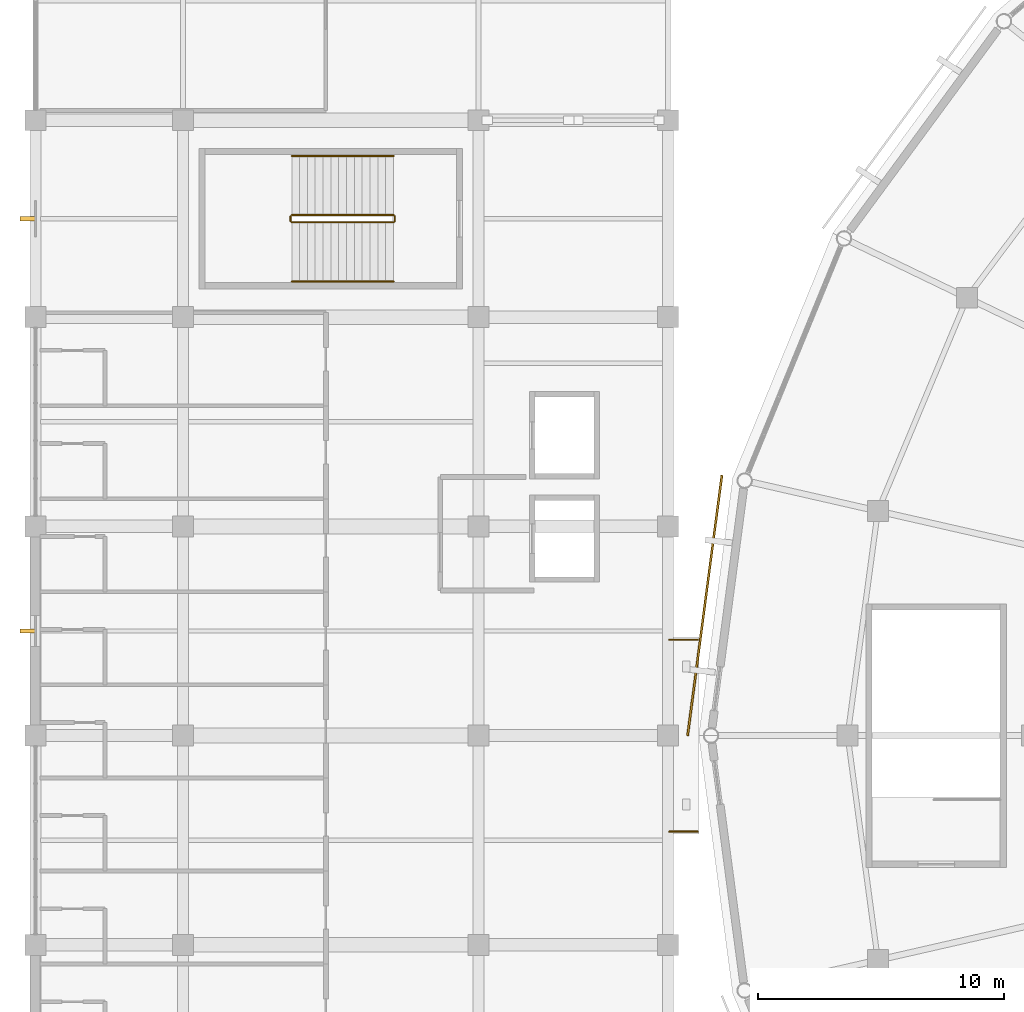
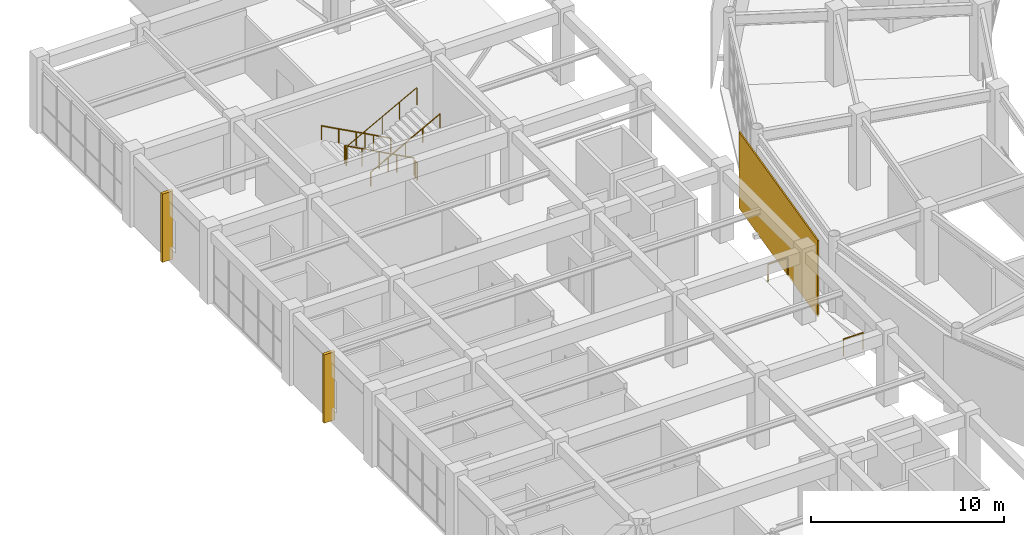
# One storey, part 102 of 112: 8 railings, 2 shading devices, 1 covering.
"""IFC4 building model written with IfcOpenShell, lengths in metres."""

import ifcopenshell
import ifcopenshell.guid

model = None  # the IFC model being written
_history = None  # IfcOwnerHistory: only IFC2X3 demands one
_inside = {}  # id of a spatial element -> (the spatial element, [elements in it])
_under = {}  # id of a project, library or spatial element -> (it, [spatial elements below it])
_declared = {}  # id of a project -> (the project, [libraries it declares])
_typed = {}  # id of a type object -> (the type object, [elements of that type])
_made_of = {}  # id of a material, layer set ... -> (it, [elements and type objects made of it])


def new_model(schema):
    """Start an empty IFC model of exactly this schema.

    Asked for "IFC4X3", IfcOpenShell would pick the latest addendum, in which some entities
    have other attributes; the version numbers below select the first issue.
    IFC2X3 requires an IfcOwnerHistory on every rooted entity: one is made here for all.
    """
    global model, _history
    if schema == "IFC4X3":
        model = ifcopenshell.file(schema_version=(4, 3, 0, 0))
    else:
        model = ifcopenshell.file(schema=schema)
    _inside.clear()
    _under.clear()
    _declared.clear()
    _typed.clear()
    _made_of.clear()
    _history = None
    if model.schema == "IFC2X3":
        org = make("IfcOrganization", Name="unknown")
        user = make(
            "IfcPersonAndOrganization",
            ThePerson=make("IfcPerson", FamilyName="unknown"),
            TheOrganization=org,
        )
        app = make(
            "IfcApplication",
            ApplicationDeveloper=org,
            Version="unknown",
            ApplicationFullName="unknown",
            ApplicationIdentifier="unknown",
        )
        _history = make(
            "IfcOwnerHistory",
            OwningUser=user,
            OwningApplication=app,
            ChangeAction="ADDED",
            CreationDate=0,
        )
    return model


def make(cls, **values):
    """One entity of the class cls with the attributes given. An attribute that is None is left unset."""
    return model.create_entity(
        cls, **{name: value for name, value in values.items() if value is not None}
    )


def rooted(cls, **values):
    """An entity with a GlobalId (a new one), such as an element, a storey or a relation."""
    return make(cls, GlobalId=ifcopenshell.guid.new(), OwnerHistory=_history, **values)


def si_unit(unit_type, name, prefix=None):
    """IfcSIUnit, for example si_unit("LENGTHUNIT", "METRE", prefix="MILLI")."""
    return make("IfcSIUnit", UnitType=unit_type, Prefix=prefix, Name=name)


def assignment(units):
    """IfcUnitAssignment: the units of a project."""
    return None if units is None else make("IfcUnitAssignment", Units=units)


def point(xyz):
    """IfcCartesianPoint."""
    return None if xyz is None else make("IfcCartesianPoint", Coordinates=xyz)


def direction(xyz):
    """IfcDirection."""
    return None if xyz is None else make("IfcDirection", DirectionRatios=xyz)


def frame(location, z_axis=None, x_axis=None):
    """IfcAxis2Placement3D, a coordinate frame: its origin and axes. An axis left out is left unset."""
    return make(
        "IfcAxis2Placement3D",
        Location=point(location),
        Axis=direction(z_axis),
        RefDirection=direction(x_axis),
    )


def frame_2d(location, x_axis=None):
    """IfcAxis2Placement2D, a coordinate frame in the plane: its origin and x axis."""
    return make(
        "IfcAxis2Placement2D", Location=point(location), RefDirection=direction(x_axis)
    )


def origin():
    """The frame at (0, 0, 0) with its axes left unset."""
    return frame((0.0, 0.0, 0.0))


def origin_2d():
    """The frame at (0, 0) in the plane with its x axis left unset."""
    return frame_2d((0.0, 0.0))


def place(relative_to, where):
    """IfcLocalPlacement: puts the frame where relative to a parent placement (None: the world)."""
    return make(
        "IfcLocalPlacement", PlacementRelTo=relative_to, RelativePlacement=where
    )


def context(
    kind, dimensions, precision=None, world=None, true_north=None, identifier=None
):
    """IfcGeometricRepresentationContext, for example the 3D "Model" context."""
    return make(
        "IfcGeometricRepresentationContext",
        ContextIdentifier=identifier,
        ContextType=kind,
        CoordinateSpaceDimension=dimensions,
        Precision=precision,
        WorldCoordinateSystem=world,
        TrueNorth=true_north,
    )


def subcontext(parent, identifier, kind, view, scale=None):
    """IfcGeometricRepresentationSubContext, for example "Body" below "Model"."""
    return make(
        "IfcGeometricRepresentationSubContext",
        ContextIdentifier=identifier,
        ContextType=kind,
        ParentContext=parent,
        TargetScale=scale,
        TargetView=view,
    )


def project(units=None, contexts=None):
    """IfcProject with its units and contexts."""
    return rooted(
        "IfcProject",
        Name="project",
        RepresentationContexts=contexts,
        UnitsInContext=assignment(units),
    )


def spatial(cls, under=None, at=None, **own):
    """A site, building, storey or space (cls), placed at a placement, below another one or the project."""
    s = rooted(cls, ObjectPlacement=at, **own)
    if under is not None:
        _under.setdefault(under.id(), (under, []))[1].append(s)
    return s


def profile(cls, at=None, kind="AREA", **sizes):
    """A parametric profile (cls). Its sizes go by their IFC names, for example OverallWidth=200.0."""
    return make(cls, ProfileType=kind, Position=at, **sizes)


def rectangle(**sizes):
    """IfcRectangleProfileDef."""
    return profile("IfcRectangleProfileDef", **sizes)


def circle(**sizes):
    """IfcCircleProfileDef."""
    return profile("IfcCircleProfileDef", **sizes)


def extrude(swept, where, along, depth):
    """IfcExtrudedAreaSolid: the profile swept, set in the frame where, extruded along a direction by depth."""
    return make(
        "IfcExtrudedAreaSolid",
        SweptArea=swept,
        Position=where,
        ExtrudedDirection=direction(along),
        Depth=depth,
    )


def shape(context_of_items, identifier, shape_type, items):
    """IfcShapeRepresentation: the items that make up one representation, for example the "Body"."""
    return make(
        "IfcShapeRepresentation",
        ContextOfItems=context_of_items,
        RepresentationIdentifier=identifier,
        RepresentationType=shape_type,
        Items=items,
    )


def material(Name=None, Category=None):
    """IfcMaterial."""
    return make("IfcMaterial", Name=Name, Category=Category)


def layer(
    of_material, thickness, ventilated=None, Name=None, Category=None, Priority=None
):
    """IfcMaterialLayer: one layer of a wall or slab, of a material (None: an air gap)."""
    return make(
        "IfcMaterialLayer",
        Material=of_material,
        LayerThickness=thickness,
        IsVentilated=ventilated,
        Name=Name,
        Category=Category,
        Priority=Priority,
    )


def layer_set(layers, Name=None):
    """IfcMaterialLayerSet."""
    return make("IfcMaterialLayerSet", MaterialLayers=layers, LayerSetName=Name)


def made_of(thing, what):
    """Note that an element or type object is made of a material, layer set ...; save() writes the relation."""
    if what is not None:
        _made_of.setdefault(what.id(), (what, []))[1].append(thing)
    return thing


def type_object(cls, material=None, **own):
    """A type object (cls), such as IfcWallType, which elements share."""
    return made_of(rooted(cls, **own), material)


def element(
    cls,
    number,
    at=None,
    inside=None,
    cuts=None,
    type_object=None,
    material=None,
    context=None,
    identifier="Body",
    shape_type=None,
    held_by="IfcProductDefinitionShape",
    body=None,
    shapes=None,
    **own,
):
    """One element of the class cls, such as IfcWall. Its Tag is "e" and its number.

    at: its placement. inside: the storey or other place that contains it. cuts: it is an
    opening in that element (IfcRelVoidsElement). A single representation is given by context,
    identifier, shape_type and body (its items); several are given by shapes. held_by: the class
    of the entity that holds the representations. save() writes the other relations.
    """
    e = rooted(cls, Tag="e%d" % number, ObjectPlacement=at, **own)
    if body is not None:
        shapes = [shape(context, identifier, shape_type, body)]
    if shapes is not None:
        e.Representation = make(held_by, Representations=shapes)
    if inside is not None:
        _inside.setdefault(inside.id(), (inside, []))[1].append(e)
    if cuts is not None:
        rooted(
            "IfcRelVoidsElement", RelatingBuildingElement=cuts, RelatedOpeningElement=e
        )
    if type_object is not None:
        _typed.setdefault(type_object.id(), (type_object, []))[1].append(e)
    return made_of(e, material)


def aggregate(whole, parts):
    """IfcRelAggregates: a whole, such as a stair, and the parts it consists of."""
    return rooted("IfcRelAggregates", RelatingObject=whole, RelatedObjects=parts)


def save(model, path):
    """Write the relations noted so far, then the file.

    IfcRelAggregates (storeys below a building ...), IfcRelContainedInSpatialStructure (elements
    in a storey), IfcRelDefinesByType, IfcRelAssociatesMaterial and IfcRelDeclares: one each for
    every whole, place, type object, material and project.
    """
    for whole, parts in _under.values():
        aggregate(whole, parts)
    for where, things in _inside.values():
        rooted(
            "IfcRelContainedInSpatialStructure",
            RelatedElements=things,
            RelatingStructure=where,
        )
    for kind, things in _typed.values():
        rooted("IfcRelDefinesByType", RelatedObjects=things, RelatingType=kind)
    for what, things in _made_of.values():
        rooted("IfcRelAssociatesMaterial", RelatedObjects=things, RelatingMaterial=what)
    for by, libraries in _declared.values():
        rooted("IfcRelDeclares", RelatingContext=by, RelatedDefinitions=libraries)
    model.write(path)


model = new_model("IFC4")

# Units and contexts
model_context = context("Model", 3, precision=1e-05, world=origin(), true_north=direction((0.0, 1.0)))
body_context = subcontext(model_context, "Body", "Model", "MODEL_VIEW")
ifc_project = project(units=[si_unit("LENGTHUNIT", "METRE"), si_unit("AREAUNIT", "SQUARE_METRE"), si_unit("VOLUMEUNIT", "CUBIC_METRE"), si_unit("PLANEANGLEUNIT", "RADIAN"), si_unit("MASSUNIT", "GRAM", prefix="KILO")], contexts=[model_context])

# Site, building, storey
site_placement = place(None, origin())
site = spatial("IfcSite", under=ifc_project, at=site_placement, CompositionType="ELEMENT")
building_placement = place(site_placement, origin())
building = spatial("IfcBuilding", under=site, at=building_placement, Name="Cuetzalor Civic Arena", CompositionType="ELEMENT")
storey_placement = place(building_placement, frame((0.0, 0.0, 11.39990234375)))
storey = spatial("IfcBuildingStorey", under=building, at=storey_placement, Name="L02", CompositionType="ELEMENT", Elevation=11.39990234375)

# Railings
ifc_material_1 = material(Name="Reseda-green architectural Steel S355 balustrade", Category="steel")
railing_type_1 = type_object("IfcRailingType", Name="InteriorVoidBalustrade_1100", PredefinedType="BALUSTRADE", material=ifc_material_1)
railing_1_placement = place(storey_placement, frame((-67.449951171875, 21.14990234375, 0.171630859375)))
element("IfcRailing", 1, at=railing_1_placement, inside=storey, type_object=railing_type_1, Name="L02 ST-17 stair guard 1", PredefinedType="BALUSTRADE", context=body_context, shape_type="SweptSolid", body=[
    extrude(circle(Radius=0.02392578125, at=origin_2d()), frame((0.0, 0.0, 1.0810546875), z_axis=(-0.880248997335, 0.0, 0.474512068014), x_axis=(0.0, -1.0, 0.0)), (0.0, 0.0, 1.0), 4.696533203125),
    extrude(circle(Radius=0.02099609375, at=origin_2d()), origin(), (0.0, 0.0, 1.0), 1.056884765625),
    extrude(circle(Radius=0.02099609375, at=origin_2d()), frame((-1.033447265625, 0.0, 0.55712890625)), (0.0, 0.0, 1.0), 1.056884765625),
    extrude(circle(Radius=0.02099609375, at=origin_2d()), frame((-2.06689453125, 0.0, 1.1142578125)), (0.0, 0.0, 1.0), 1.056884765625),
    extrude(circle(Radius=0.02099609375, at=origin_2d()), frame((-3.1005859375, 0.0, 1.67138671875)), (0.0, 0.0, 1.0), 1.056884765625),
    extrude(circle(Radius=0.02099609375, at=origin_2d()), frame((-4.134033203125, 0.0, 2.228515625)), (0.0, 0.0, 1.0), 1.056884765625),
])
railing_2_placement = place(storey_placement, frame((-71.634033203125, 21.10009765625, 2.400146484375)))
element("IfcRailing", 2, at=railing_2_placement, inside=storey, type_object=railing_type_1, Name="L02 ST-17 stair guard 2", PredefinedType="BALUSTRADE", context=body_context, shape_type="SweptSolid", body=[
    extrude(circle(Radius=0.02392578125, at=origin_2d()), frame((0.0, 0.0, 1.0810546875), z_axis=(0.0, -1.0, 0.0), x_axis=(1.0, 0.0, 0.0)), (0.0, 0.0, 1.0), 0.2001953125),
    extrude(circle(Radius=0.02099609375, at=origin_2d()), origin(), (0.0, 0.0, 1.0), 1.056884765625),
    extrude(circle(Radius=0.02099609375, at=origin_2d()), frame((0.0, -0.2001953125, 0.0)), (0.0, 0.0, 1.0), 1.056884765625),
])
railing_3_placement = place(storey_placement, frame((-71.583984375, 20.85009765625, 2.571533203125)))
element("IfcRailing", 3, at=railing_3_placement, inside=storey, type_object=railing_type_1, Name="L02 ST-17 stair guard 3", PredefinedType="BALUSTRADE", context=body_context, shape_type="SweptSolid", body=[
    extrude(circle(Radius=0.02392578125, at=origin_2d()), frame((0.0, 0.0, 1.0810546875), z_axis=(0.880248997335, 0.0, 0.474512068014), x_axis=(0.0, 1.0, 0.0)), (0.0, 0.0, 1.0), 4.696533203125),
    extrude(circle(Radius=0.02099609375, at=origin_2d()), origin(), (0.0, 0.0, 1.0), 1.056884765625),
    extrude(circle(Radius=0.02099609375, at=origin_2d()), frame((1.033447265625, 0.0, 0.55712890625)), (0.0, 0.0, 1.0), 1.056884765625),
    extrude(circle(Radius=0.02099609375, at=origin_2d()), frame((2.06689453125, 0.0, 1.1142578125)), (0.0, 0.0, 1.0), 1.056884765625),
    extrude(circle(Radius=0.02099609375, at=origin_2d()), frame((3.1005859375, 0.0, 1.67138671875)), (0.0, 0.0, 1.0), 1.056884765625),
    extrude(circle(Radius=0.02099609375, at=origin_2d()), frame((4.134033203125, 0.0, 2.228515625)), (0.0, 0.0, 1.0), 1.056884765625),
])
railing_4_placement = place(storey_placement, frame((-67.39990234375, 21.10009765625, 0.0)))
element("IfcRailing", 4, at=railing_4_placement, inside=storey, type_object=railing_type_1, Name="L02 ST-17 stair guard 4", PredefinedType="BALUSTRADE", context=body_context, shape_type="SweptSolid", body=[
    extrude(circle(Radius=0.02392578125, at=origin_2d()), frame((0.0, 0.0, 1.0810546875), z_axis=(0.0, -1.0, 0.0), x_axis=(1.0, 0.0, 0.0)), (0.0, 0.0, 1.0), 0.2001953125),
    extrude(circle(Radius=0.02099609375, at=origin_2d()), origin(), (0.0, 0.0, 1.0), 1.056884765625),
    extrude(circle(Radius=0.02099609375, at=origin_2d()), frame((0.0, -0.2001953125, 0.0)), (0.0, 0.0, 1.0), 1.056884765625),
])
for number, where, name in (
    (5, (-56.25, -3.89990234375, 0.0), "Seismic Bridge Balustrade V4W L02 S"),
    (6, (-56.25, 3.89990234375, 0.0), "Seismic Bridge Balustrade V4W L02 N"),
):
    element("IfcRailing", number, at=place(storey_placement, frame(where)), inside=storey, type_object=railing_type_1, Name=name, PredefinedType="BALUSTRADE", context=body_context, shape_type="SweptSolid", body=[
        extrude(circle(Radius=0.02392578125, at=origin_2d()), frame((0.0, 0.0, 1.076171875), z_axis=(1.0, 0.0, 0.0), x_axis=(0.0, 1.0, 0.0)), (0.0, 0.0, 1.0), 1.169921875),
        extrude(circle(Radius=0.02099609375, at=origin_2d()), origin(), (0.0, 0.0, 1.0), 1.052001953125),
        extrude(circle(Radius=0.02099609375, at=origin_2d()), frame((1.169921875, 0.0, 0.0)), (0.0, 0.0, 1.0), 1.052001953125),
    ])
ifc_material_2 = material(Name="Galvanised steel S355", Category="steel")
railing_type_2 = type_object("IfcRailingType", Name="StairPitchHandrail_900", PredefinedType="HANDRAIL", material=ifc_material_2)
railing_5_placement = place(storey_placement, frame((-67.449951171875, 23.550048828125, 0.171630859375)))
element("IfcRailing", 7, at=railing_5_placement, inside=storey, type_object=railing_type_2, Name="L02 ST-17 stair handrail 1", PredefinedType="HANDRAIL", context=body_context, shape_type="SweptSolid", body=[
    extrude(circle(Radius=0.02392578125, at=origin_2d()), frame((0.0, 0.0, 0.8759765625), z_axis=(-0.880248997335, 0.0, 0.474512068014), x_axis=(0.0, -1.0, 0.0)), (0.0, 0.0, 1.0), 4.696533203125),
    extrude(circle(Radius=0.02099609375, at=origin_2d()), origin(), (0.0, 0.0, 1.0), 0.851806640625),
    extrude(circle(Radius=0.02099609375, at=origin_2d()), frame((-1.033447265625, 0.0, 0.55712890625)), (0.0, 0.0, 1.0), 0.851806640625),
    extrude(circle(Radius=0.02099609375, at=origin_2d()), frame((-2.06689453125, 0.0, 1.1142578125)), (0.0, 0.0, 1.0), 0.851806640625),
    extrude(circle(Radius=0.02099609375, at=origin_2d()), frame((-3.1005859375, 0.0, 1.67138671875)), (0.0, 0.0, 1.0), 0.851806640625),
    extrude(circle(Radius=0.02099609375, at=origin_2d()), frame((-4.134033203125, 0.0, 2.228515625)), (0.0, 0.0, 1.0), 0.851806640625),
])
railing_6_placement = place(storey_placement, frame((-71.583984375, 18.449951171875, 2.571533203125)))
element("IfcRailing", 8, at=railing_6_placement, inside=storey, type_object=railing_type_2, Name="L02 ST-17 stair handrail 2", PredefinedType="HANDRAIL", context=body_context, shape_type="SweptSolid", body=[
    extrude(circle(Radius=0.02392578125, at=origin_2d()), frame((0.0, 0.0, 0.8759765625), z_axis=(0.880248997335, 0.0, 0.474512068014), x_axis=(0.0, 1.0, 0.0)), (0.0, 0.0, 1.0), 4.696533203125),
    extrude(circle(Radius=0.02099609375, at=origin_2d()), origin(), (0.0, 0.0, 1.0), 0.851806640625),
    extrude(circle(Radius=0.02099609375, at=origin_2d()), frame((1.033447265625, 0.0, 0.55712890625)), (0.0, 0.0, 1.0), 0.851806640625),
    extrude(circle(Radius=0.02099609375, at=origin_2d()), frame((2.06689453125, 0.0, 1.1142578125)), (0.0, 0.0, 1.0), 0.851806640625),
    extrude(circle(Radius=0.02099609375, at=origin_2d()), frame((3.1005859375, 0.0, 1.67138671875)), (0.0, 0.0, 1.0), 0.851806640625),
    extrude(circle(Radius=0.02099609375, at=origin_2d()), frame((4.134033203125, 0.0, 2.228515625)), (0.0, 0.0, 1.0), 0.851806640625),
])

# Covering
ifc_material_3 = material(Name="Terracotta-red perforated anodised aluminium panel", Category="masonry")
ifc_layer = layer(ifc_material_3, 0.080078125)
ifc_layer_set = layer_set([ifc_layer], Name="Terracotta-red perforated anodised aluminium panel")
covering_type = type_object("IfcCoveringType", Name="TerracottaPerforatedScreenPanel", PredefinedType="CLADDING", material=ifc_layer_set)
covering_placement = place(storey_placement, frame((-55.5, 0.0, -0.139892578125), z_axis=(0.0, 0.0, 1.0), x_axis=(0.130534485624, 0.991443769491, 0.0)))
element("IfcCovering", 9, at=covering_placement, inside=storey, type_object=covering_type, Name="Terracotta Perforated Drum Screen L02-S14", PredefinedType="CLADDING", context=body_context, shape_type="SweptSolid", body=[
    extrude(rectangle(XDim=10.660888671875, YDim=0.080078125, at=frame_2d((5.33056640625, 0.0))), origin(), (0.0, 0.0, 1.0), 4.820068359375),
])

# Shading devices
ifc_material_4 = material(Name="Puebla cantera gris stone and bronze fin", Category="masonry")
shading_device_type = type_object("IfcShadingDeviceType", Name="VerticalCanteraSolarFin", PredefinedType="USERDEFINED", material=ifc_material_4)
for number, where, z_axis, x_axis, name in (
    (10, (-82.300048828125, 4.25, 0.10009765625), (0.0, 0.0, 1.0), (1.0, 0.0, 0.0), "V4W Vertical Cantera Solar Fin 04"),
    (11, (-82.300048828125, 21.0, 0.10009765625), (0.0, 0.0, 1.0), (1.0, 0.0, 0.0), "V4W Vertical Cantera Solar Fin 05"),
):
    element("IfcShadingDevice", number, at=place(storey_placement, frame(where, z_axis=z_axis, x_axis=x_axis)), inside=storey, type_object=shading_device_type, Name=name, ObjectType="SOLAR FIN", PredefinedType="USERDEFINED", context=body_context, shape_type="SweptSolid", body=[
        extrude(rectangle(XDim=0.64990234375, YDim=0.179931640625, at=origin_2d()), origin(), (0.0, 0.0, 1.0), 4.320068359375),
    ])

save(model, "model.ifc")
